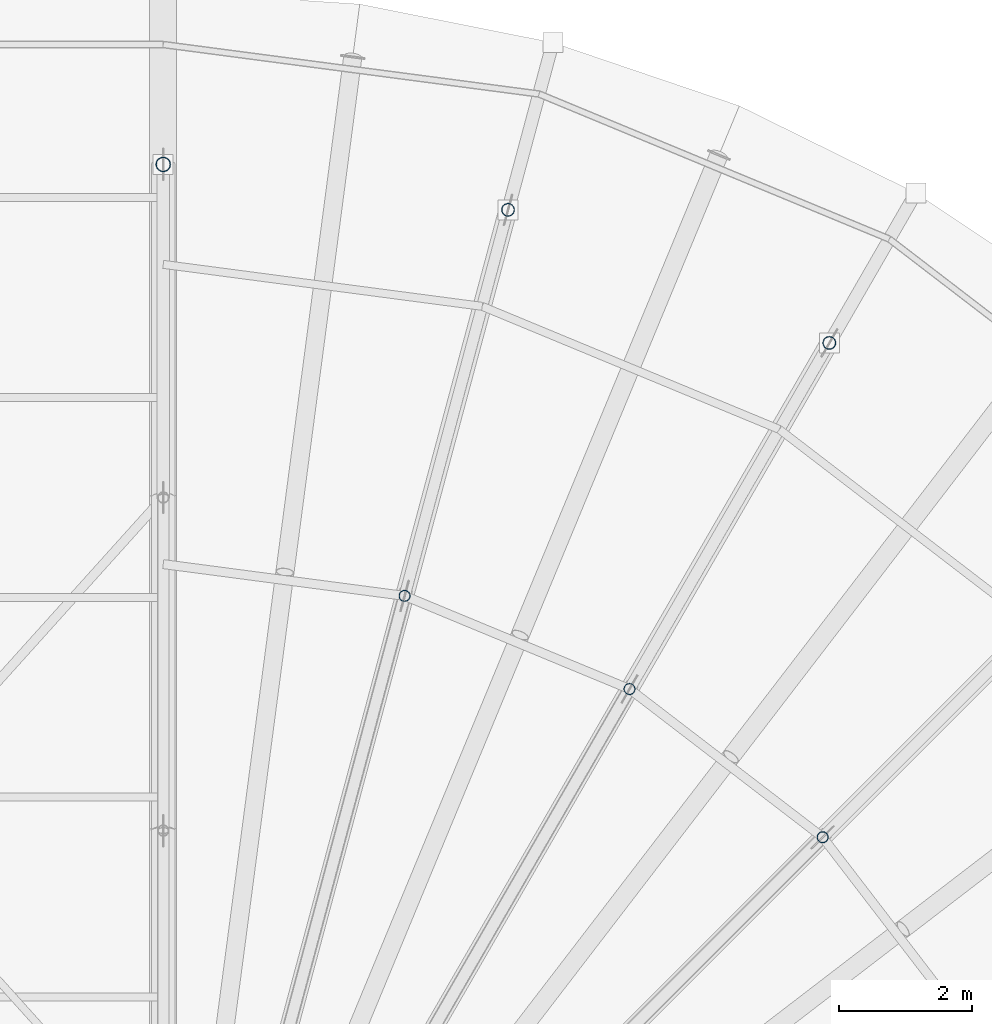
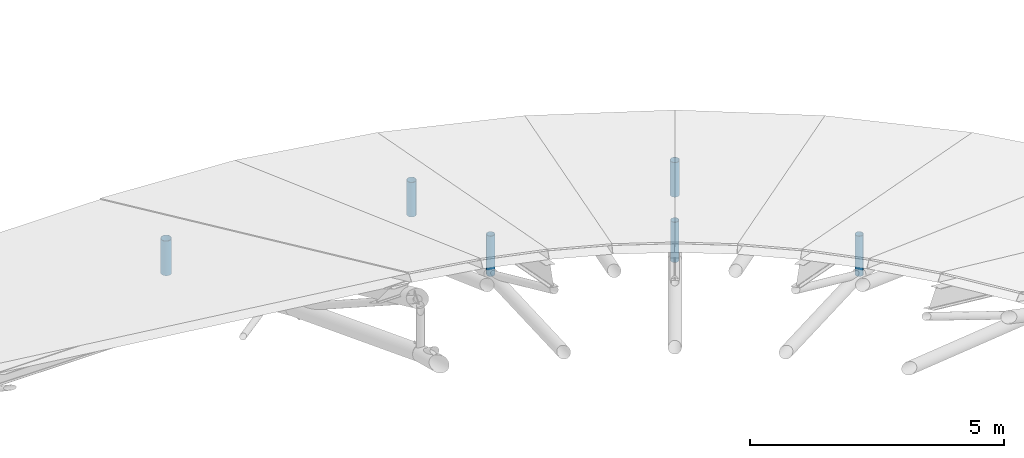
# One storey, part 80 of 107: 6 members.
"""IFC4 building model written with IfcOpenShell, lengths in metres."""

import ifcopenshell
import ifcopenshell.guid

model = None  # the IFC model being written
_history = None  # IfcOwnerHistory: only IFC2X3 demands one
_inside = {}  # id of a spatial element -> (the spatial element, [elements in it])
_under = {}  # id of a project, library or spatial element -> (it, [spatial elements below it])
_declared = {}  # id of a project -> (the project, [libraries it declares])
_typed = {}  # id of a type object -> (the type object, [elements of that type])
_made_of = {}  # id of a material, layer set ... -> (it, [elements and type objects made of it])


def new_model(schema):
    """Start an empty IFC model of exactly this schema.

    Asked for "IFC4X3", IfcOpenShell would pick the latest addendum, in which some entities
    have other attributes; the version numbers below select the first issue.
    IFC2X3 requires an IfcOwnerHistory on every rooted entity: one is made here for all.
    """
    global model, _history
    if schema == "IFC4X3":
        model = ifcopenshell.file(schema_version=(4, 3, 0, 0))
    else:
        model = ifcopenshell.file(schema=schema)
    _inside.clear()
    _under.clear()
    _declared.clear()
    _typed.clear()
    _made_of.clear()
    _history = None
    if model.schema == "IFC2X3":
        org = make("IfcOrganization", Name="unknown")
        user = make(
            "IfcPersonAndOrganization",
            ThePerson=make("IfcPerson", FamilyName="unknown"),
            TheOrganization=org,
        )
        app = make(
            "IfcApplication",
            ApplicationDeveloper=org,
            Version="unknown",
            ApplicationFullName="unknown",
            ApplicationIdentifier="unknown",
        )
        _history = make(
            "IfcOwnerHistory",
            OwningUser=user,
            OwningApplication=app,
            ChangeAction="ADDED",
            CreationDate=0,
        )
    return model


def make(cls, **values):
    """One entity of the class cls with the attributes given. An attribute that is None is left unset."""
    return model.create_entity(
        cls, **{name: value for name, value in values.items() if value is not None}
    )


def rooted(cls, **values):
    """An entity with a GlobalId (a new one), such as an element, a storey or a relation."""
    return make(cls, GlobalId=ifcopenshell.guid.new(), OwnerHistory=_history, **values)


def si_unit(unit_type, name, prefix=None):
    """IfcSIUnit, for example si_unit("LENGTHUNIT", "METRE", prefix="MILLI")."""
    return make("IfcSIUnit", UnitType=unit_type, Prefix=prefix, Name=name)


def derived_unit(unit_type, elements):
    """IfcDerivedUnit: a product of units, each with its exponent."""
    return make(
        "IfcDerivedUnit",
        Elements=[
            make("IfcDerivedUnitElement", Unit=unit, Exponent=power)
            for unit, power in elements
        ],
        UnitType=unit_type,
    )


def assignment(units):
    """IfcUnitAssignment: the units of a project."""
    return None if units is None else make("IfcUnitAssignment", Units=units)


def point(xyz):
    """IfcCartesianPoint."""
    return None if xyz is None else make("IfcCartesianPoint", Coordinates=xyz)


def direction(xyz):
    """IfcDirection."""
    return None if xyz is None else make("IfcDirection", DirectionRatios=xyz)


def frame(location, z_axis=None, x_axis=None):
    """IfcAxis2Placement3D, a coordinate frame: its origin and axes. An axis left out is left unset."""
    return make(
        "IfcAxis2Placement3D",
        Location=point(location),
        Axis=direction(z_axis),
        RefDirection=direction(x_axis),
    )


def frame_2d(location, x_axis=None):
    """IfcAxis2Placement2D, a coordinate frame in the plane: its origin and x axis."""
    return make(
        "IfcAxis2Placement2D", Location=point(location), RefDirection=direction(x_axis)
    )


def origin():
    """The frame at (0, 0, 0) with its axes left unset."""
    return frame((0.0, 0.0, 0.0))


def origin_2d():
    """The frame at (0, 0) in the plane with its x axis left unset."""
    return frame_2d((0.0, 0.0))


def place(relative_to, where):
    """IfcLocalPlacement: puts the frame where relative to a parent placement (None: the world)."""
    return make(
        "IfcLocalPlacement", PlacementRelTo=relative_to, RelativePlacement=where
    )


def context(
    kind, dimensions, precision=None, world=None, true_north=None, identifier=None
):
    """IfcGeometricRepresentationContext, for example the 3D "Model" context."""
    return make(
        "IfcGeometricRepresentationContext",
        ContextIdentifier=identifier,
        ContextType=kind,
        CoordinateSpaceDimension=dimensions,
        Precision=precision,
        WorldCoordinateSystem=world,
        TrueNorth=true_north,
    )


def subcontext(parent, identifier, kind, view, scale=None):
    """IfcGeometricRepresentationSubContext, for example "Body" below "Model"."""
    return make(
        "IfcGeometricRepresentationSubContext",
        ContextIdentifier=identifier,
        ContextType=kind,
        ParentContext=parent,
        TargetScale=scale,
        TargetView=view,
    )


def project(units=None, contexts=None):
    """IfcProject with its units and contexts."""
    return rooted(
        "IfcProject",
        Name="project",
        RepresentationContexts=contexts,
        UnitsInContext=assignment(units),
    )


def spatial(cls, under=None, at=None, **own):
    """A site, building, storey or space (cls), placed at a placement, below another one or the project."""
    s = rooted(cls, ObjectPlacement=at, **own)
    if under is not None:
        _under.setdefault(under.id(), (under, []))[1].append(s)
    return s


def profile(cls, at=None, kind="AREA", **sizes):
    """A parametric profile (cls). Its sizes go by their IFC names, for example OverallWidth=200.0."""
    return make(cls, ProfileType=kind, Position=at, **sizes)


def hollow_circle(**sizes):
    """IfcCircleHollowProfileDef."""
    return profile("IfcCircleHollowProfileDef", **sizes)


def extrude(swept, where, along, depth):
    """IfcExtrudedAreaSolid: the profile swept, set in the frame where, extruded along a direction by depth."""
    return make(
        "IfcExtrudedAreaSolid",
        SweptArea=swept,
        Position=where,
        ExtrudedDirection=direction(along),
        Depth=depth,
    )


def shape(context_of_items, identifier, shape_type, items):
    """IfcShapeRepresentation: the items that make up one representation, for example the "Body"."""
    return make(
        "IfcShapeRepresentation",
        ContextOfItems=context_of_items,
        RepresentationIdentifier=identifier,
        RepresentationType=shape_type,
        Items=items,
    )


def material(Name=None, Category=None):
    """IfcMaterial."""
    return make("IfcMaterial", Name=Name, Category=Category)


def material_profile(
    of_material, cross_section, Name=None, Category=None, Priority=None
):
    """IfcMaterialProfile: a cross section and its material."""
    return make(
        "IfcMaterialProfile",
        Name=Name,
        Material=of_material,
        Profile=cross_section,
        Priority=Priority,
        Category=Category,
    )


def profile_set(profiles, Name=None, composite=None):
    """IfcMaterialProfileSet."""
    return make(
        "IfcMaterialProfileSet",
        Name=Name,
        MaterialProfiles=profiles,
        CompositeProfile=composite,
    )


def made_of(thing, what):
    """Note that an element or type object is made of a material, layer set ...; save() writes the relation."""
    if what is not None:
        _made_of.setdefault(what.id(), (what, []))[1].append(thing)
    return thing


def type_object(cls, material=None, **own):
    """A type object (cls), such as IfcWallType, which elements share."""
    return made_of(rooted(cls, **own), material)


def element(
    cls,
    number,
    at=None,
    inside=None,
    cuts=None,
    type_object=None,
    material=None,
    context=None,
    identifier="Body",
    shape_type=None,
    held_by="IfcProductDefinitionShape",
    body=None,
    shapes=None,
    **own,
):
    """One element of the class cls, such as IfcWall. Its Tag is "e" and its number.

    at: its placement. inside: the storey or other place that contains it. cuts: it is an
    opening in that element (IfcRelVoidsElement). A single representation is given by context,
    identifier, shape_type and body (its items); several are given by shapes. held_by: the class
    of the entity that holds the representations. save() writes the other relations.
    """
    e = rooted(cls, Tag="e%d" % number, ObjectPlacement=at, **own)
    if body is not None:
        shapes = [shape(context, identifier, shape_type, body)]
    if shapes is not None:
        e.Representation = make(held_by, Representations=shapes)
    if inside is not None:
        _inside.setdefault(inside.id(), (inside, []))[1].append(e)
    if cuts is not None:
        rooted(
            "IfcRelVoidsElement", RelatingBuildingElement=cuts, RelatedOpeningElement=e
        )
    if type_object is not None:
        _typed.setdefault(type_object.id(), (type_object, []))[1].append(e)
    return made_of(e, material)


def aggregate(whole, parts):
    """IfcRelAggregates: a whole, such as a stair, and the parts it consists of."""
    return rooted("IfcRelAggregates", RelatingObject=whole, RelatedObjects=parts)


def save(model, path):
    """Write the relations noted so far, then the file.

    IfcRelAggregates (storeys below a building ...), IfcRelContainedInSpatialStructure (elements
    in a storey), IfcRelDefinesByType, IfcRelAssociatesMaterial and IfcRelDeclares: one each for
    every whole, place, type object, material and project.
    """
    for whole, parts in _under.values():
        aggregate(whole, parts)
    for where, things in _inside.values():
        rooted(
            "IfcRelContainedInSpatialStructure",
            RelatedElements=things,
            RelatingStructure=where,
        )
    for kind, things in _typed.values():
        rooted("IfcRelDefinesByType", RelatedObjects=things, RelatingType=kind)
    for what, things in _made_of.values():
        rooted("IfcRelAssociatesMaterial", RelatedObjects=things, RelatingMaterial=what)
    for by, libraries in _declared.values():
        rooted("IfcRelDeclares", RelatingContext=by, RelatedDefinitions=libraries)
    model.write(path)


model = new_model("IFC4")

# Units and contexts
model_context = context("Model", 3, precision=1e-05, world=origin(), true_north=direction((0.0, 1.0)))
body_context = subcontext(model_context, "Body", "Model", "MODEL_VIEW")
ifc_project = project(units=[si_unit("LENGTHUNIT", "METRE"), si_unit("AREAUNIT", "SQUARE_METRE"), si_unit("VOLUMEUNIT", "CUBIC_METRE"), si_unit("PLANEANGLEUNIT", "RADIAN"), si_unit("MASSUNIT", "GRAM", prefix="KILO"), si_unit("THERMODYNAMICTEMPERATUREUNIT", "KELVIN"), si_unit("TIMEUNIT", "SECOND"), derived_unit("THERMALTRANSMITTANCEUNIT", [(si_unit("MASSUNIT", "GRAM", prefix="KILO"), 1), (si_unit("THERMODYNAMICTEMPERATUREUNIT", "KELVIN"), -1), (si_unit("TIMEUNIT", "SECOND"), -3)])], contexts=[model_context])

# Site, building, storey
site_placement = place(None, origin())
site = spatial("IfcSite", under=ifc_project, at=site_placement, CompositionType="ELEMENT")
building_placement = place(site_placement, origin())
building = spatial("IfcBuilding", under=site, at=building_placement, Name="Cambertide Market Hall", CompositionType="ELEMENT")
storey_placement = place(building_placement, frame((0.0, 0.0, 18.300048828125)))
storey = spatial("IfcBuildingStorey", under=building, at=storey_placement, Name="RF", CompositionType="ELEMENT", Elevation=18.300048828125)

# Members
ifc_material_1 = material(Name="Steel S355", Category="steel")
ifc_material_profile_1 = material_profile(ifc_material_1, hollow_circle(Radius=0.084228515625, WallThickness=0.00634765625, at=origin_2d()), Name="CHS 168.3x6.3")
ifc_profile_set_1 = profile_set([ifc_material_profile_1], Name="Steel S355")
member_type_1 = type_object("IfcMemberType", Name="Structural Brace CHS 168.3x6.3", PredefinedType="BRACE", material=ifc_profile_set_1)
for number, where, z_axis, x_axis, name in (
    (1, (114.8994140625, 81.8994140625, -7.756103515625), (0.0, 0.0, 1.0), (1.0, 0.0, 0.0), "RWV-E-18-V2"),
    (2, (112.0, 84.124267578125, -7.756103515625), (0.0, 0.0, 1.0), (1.0, 0.0, 0.0), "RWV-E-20-V2"),
    (3, (108.62353515625, 85.52294921875, -7.756103515625), (0.0, 0.0, 1.0), (1.0, 0.0, 0.0), "RWV-E-22-V2"),
):
    element("IfcMember", number, at=place(storey_placement, frame(where, z_axis=z_axis, x_axis=x_axis)), inside=storey, type_object=member_type_1, Name=name, PredefinedType="BRACE", context=body_context, shape_type="SweptSolid", body=[
        extrude(hollow_circle(Radius=0.084228515625, WallThickness=0.00634765625, at=origin_2d()), origin(), (0.0, 0.0, 1.0), 0.966064453125),
    ])
ifc_material_2 = material(Name="Steel S355", Category="steel")
ifc_material_profile_2 = material_profile(ifc_material_2, hollow_circle(Radius=0.096923828125, WallThickness=0.00634765625, at=origin_2d()), Name="CHS 193.7x6.3")
ifc_profile_set_2 = profile_set([ifc_material_profile_2], Name="Steel S355")
member_type_2 = type_object("IfcMemberType", Name="Structural Brace CHS 193.7x6.3", PredefinedType="BRACE", material=ifc_profile_set_2)
for number, where, z_axis, x_axis, name in (
    (4, (115.0, 89.320556640625, -10.380126953125), (0.0, 0.0, 1.0), (1.0, 0.0, 0.0), "RWV-E-20-V3"),
    (5, (110.17626953125, 91.318603515625, -10.380126953125), (0.0, 0.0, 1.0), (1.0, 0.0, 0.0), "RWV-E-22-V3"),
):
    element("IfcMember", number, at=place(storey_placement, frame(where, z_axis=z_axis, x_axis=x_axis)), inside=storey, type_object=member_type_2, Name=name, PredefinedType="BRACE", context=body_context, shape_type="SweptSolid", body=[
        extrude(hollow_circle(Radius=0.096923828125, WallThickness=0.00634765625, at=origin_2d()), origin(), (0.0, 0.0, 1.0), 0.830078125),
    ])
ifc_material_3 = material(Name="Steel S355", Category="steel")
ifc_material_profile_3 = material_profile(ifc_material_3, hollow_circle(Radius=0.109619140625, WallThickness=0.008056640625, at=origin_2d()), Name="CHS 219.1x8")
ifc_profile_set_3 = profile_set([ifc_material_profile_3], Name="Steel S355")
member_type_3 = type_object("IfcMemberType", Name="Structural Brace CHS 219.1x8", PredefinedType="BRACE", material=ifc_profile_set_3)
member_placement = place(storey_placement, frame((105.0, 92.0, -10.380126953125), z_axis=(0.0, 0.0, 1.0), x_axis=(1.0, 0.0, 0.0)))
element("IfcMember", 6, at=member_placement, inside=storey, type_object=member_type_3, Name="Roof Truss 8 Web Post 9", PredefinedType="BRACE", context=body_context, shape_type="SweptSolid", body=[
    extrude(hollow_circle(Radius=0.109619140625, WallThickness=0.008056640625, at=origin_2d()), origin(), (0.0, 0.0, 1.0), 0.830078125),
])

save(model, "model.ifc")
